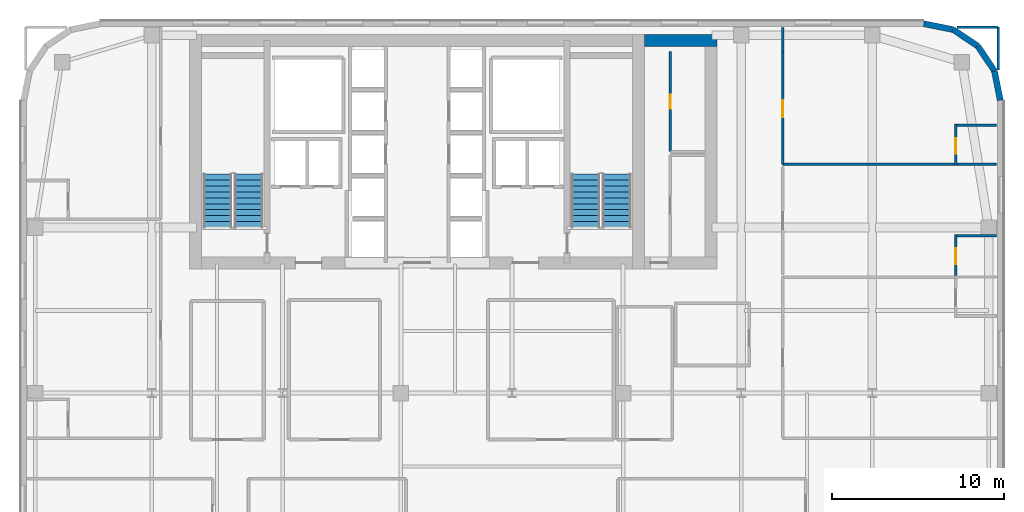
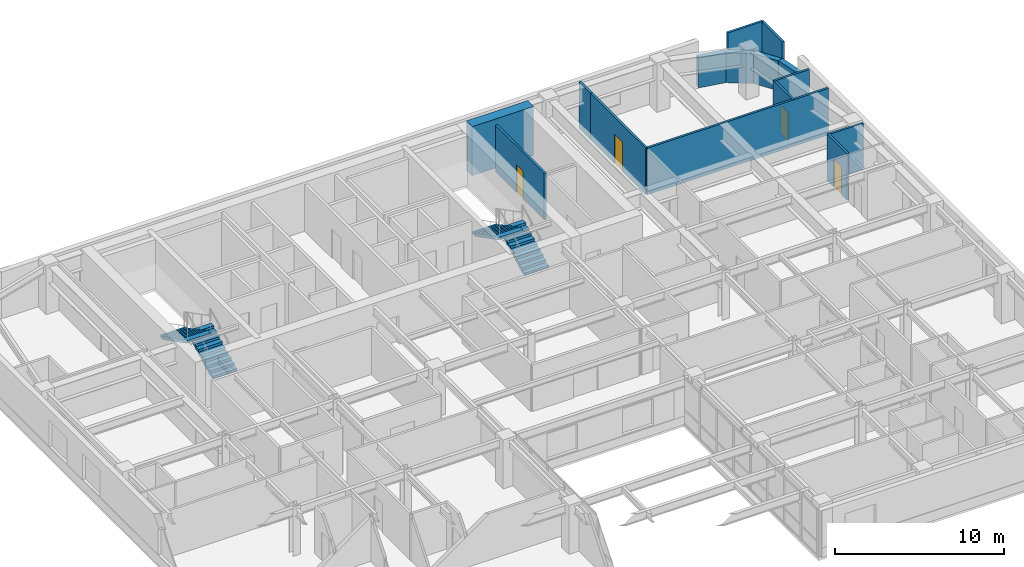
# One storey, part 19 of 24: 15 walls, 4 doors, 4 stair flights, 4 openings, 2 elements without a shape of their own.
"""IFC4 building model written with IfcOpenShell, lengths in metres."""

from ifc_helpers import new_model, si_unit, direction, frame, frame_2d, origin, place, context, subcontext, project, spatial, polyline, rectangle, outline, extrude, source, transform, mapped, material, layer, layer_set, type_object, type_shapes, element, fill, aggregate, save


model = new_model("IFC4")

# Units and contexts
model_context = context("Model", 3, precision=1e-05, world=origin(), true_north=direction((0.0, 1.0)))
body_context = subcontext(model_context, "Body", "Model", "MODEL_VIEW")
ifc_project = project(units=[si_unit("LENGTHUNIT", "METRE"), si_unit("AREAUNIT", "SQUARE_METRE"), si_unit("VOLUMEUNIT", "CUBIC_METRE"), si_unit("PLANEANGLEUNIT", "RADIAN"), si_unit("MASSUNIT", "GRAM", prefix="KILO")], contexts=[model_context])

# Site, building, storey
site_placement = place(None, origin())
site = spatial("IfcSite", under=ifc_project, at=site_placement, CompositionType="ELEMENT")
building_placement = place(site_placement, origin())
building = spatial("IfcBuilding", under=site, at=building_placement, Name="Tolvann Quenvar Hotel", CompositionType="ELEMENT")
storey_placement = place(building_placement, frame((0.0, 0.0, 118.64990234375)))
storey = spatial("IfcBuildingStorey", under=building, at=storey_placement, Name="L30", CompositionType="ELEMENT", Elevation=118.64990234375)

# Walls
ifc_material_1 = material(Name="Concrete S65 (65 MPa)", Category="concrete")
ifc_layer_1 = layer(ifc_material_1, 0.699951171875)
ifc_layer_set_1 = layer_set([ifc_layer_1], Name="Concrete S65 (65 MPa)")
wall_type_1 = type_object("IfcWallType", Name="WALL_CORE_700", PredefinedType="SHEAR", material=ifc_layer_set_1)
wall_1_placement = place(storey_placement, frame((36.199951171875, 44.85009765625, 0.0), z_axis=(0.0, 0.0, 1.0), x_axis=(1.0, 0.0, 0.0)))
element("IfcWall", 1, at=wall_1_placement, inside=storey, type_object=wall_type_1, Name="Core East Annex Shear Wall ANN-N (L30)", PredefinedType="SHEAR", context=body_context, shape_type="SweptSolid", body=[
    extrude(rectangle(XDim=4.199951171875, YDim=0.699951171875, at=frame_2d((2.10009765625, 0.0))), origin(), (0.0, 0.0, 1.0), 3.550048828125),
])
ifc_material_2 = material(Name="Kiln-fired red and buff architectural clay brickwork and terracotta masonry", Category="masonry")
ifc_layer_2 = layer(ifc_material_2, 0.35009765625)
ifc_layer_set_2 = layer_set([ifc_layer_2], Name="Kiln-fired red and buff architectural clay brickwork and terracotta masonry")
wall_type_2 = type_object("IfcWallType", Name="WALL_EXT_BRICK_350", PredefinedType="SOLIDWALL", material=ifc_layer_set_2)
wall_2_placement = place(storey_placement, frame((56.824951171875, 41.3828125, 0.0), z_axis=(0.0, 0.0, 1.0), x_axis=(-0.195011420161, 0.980800971659, 0.0)))
element("IfcWall", 2, at=wall_2_placement, inside=storey, type_object=wall_type_2, Name="Exterior Chicago Brick Wall L30-E14", PredefinedType="SOLIDWALL", context=body_context, shape_type="SweptSolid", body=[
    extrude(rectangle(XDim=1.74267578125, YDim=0.35009765625, at=frame_2d((0.871337890625, 0.0))), origin(), (0.0, 0.0, 1.0), 2.16015625),
])
for number, where, z_axis, x_axis, name in (
    (3, (56.485107421875, 43.092041015625, 0.0), (0.0, 0.0, 1.0), (-0.55554893791, 0.831483840845, 0.0), "Exterior Chicago Brick Wall L30-E15"),
    (4, (55.526611328125, 44.526611328125, 0.0), (0.0, 0.0, 1.0), (-0.831483840845, 0.55554893791, 0.0), "Exterior Chicago Brick Wall L30-E16"),
):
    element("IfcWall", number, at=place(storey_placement, frame(where, z_axis=z_axis, x_axis=x_axis)), inside=storey, type_object=wall_type_2, Name=name, PredefinedType="SOLIDWALL", context=body_context, shape_type="SweptSolid", body=[
        extrude(rectangle(XDim=1.725341796875, YDim=0.35009765625, at=frame_2d((0.86279296875, 0.0))), origin(), (0.0, 0.0, 1.0), 2.16015625),
    ])
wall_3_placement = place(storey_placement, frame((54.092041015625, 45.485107421875, 0.0), z_axis=(0.0, 0.0, 1.0), x_axis=(-0.980800971659, 0.195011420161, 0.0)))
element("IfcWall", 5, at=wall_3_placement, inside=storey, type_object=wall_type_2, Name="Exterior Chicago Brick Wall L30-E17", PredefinedType="SOLIDWALL", context=body_context, shape_type="SweptSolid", body=[
    extrude(rectangle(XDim=1.74267578125, YDim=0.35009765625, at=frame_2d((0.871337890625, 0.0))), origin(), (0.0, 0.0, 1.0), 2.16015625),
])

# Wall, opening, door
ifc_material_3 = material(Name="Acoustic twin-stud fire-rated gypsum plasterboard partition")
ifc_layer_3 = layer(ifc_material_3, 0.14990234375)
ifc_layer_set_3 = layer_set([ifc_layer_3], Name="Acoustic twin-stud fire-rated gypsum plasterboard partition")
wall_type_3 = type_object("IfcWallType", Name="WALL_PART_SUITE_150", PredefinedType="PARTITIONING", material=ifc_layer_set_3)
wall_4_placement = place(storey_placement, frame((54.25, 31.2099609375, 0.0), z_axis=(0.0, 0.0, 1.0), x_axis=(0.0, 1.0, 0.0)))
wall_4 = element("IfcWall", 6, at=wall_4_placement, inside=storey, type_object=wall_type_3, Name="Interior Partition PT-SPC-L30-ENS-NE02-ENT", PredefinedType="PARTITIONING", context=body_context, shape_type="SweptSolid", body=[
    extrude(rectangle(XDim=2.39013671875, YDim=0.14990234375, at=frame_2d((1.195068359375, 0.0))), origin(), (0.0, 0.0, 1.0), 3.3701171875),
])
opening_1_placement = place(wall_4_placement, frame((0.6650390625, 0.0, 0.0)))
opening_1 = element("IfcOpeningElement", 7, at=opening_1_placement, cuts=wall_4, Name="Opening WD-01", PredefinedType="OPENING", context=body_context, shape_type="SweptSolid", body=[
    extrude(rectangle(XDim=0.919921875, YDim=2.010009765625, at=frame_2d((0.4599609375, 1.0048828125))), frame((0.0, 0.0849609375, 0.0), z_axis=(0.0, -1.0, 0.0), x_axis=(1.0, 0.0, 0.0)), (0.0, 0.0, 1.0), 0.169921875),
])
ifc_material_4 = material(Name="Solid-core American oak acoustic fire door leaf in steel frame", Category="steel")
door_type_1 = type_object("IfcDoorType", Name="DOOR_WC_920", OperationType="NOTDEFINED", PredefinedType="DOOR", material=ifc_material_4)
shared_shape_1 = source(origin(), body_context, "Body", "SweptSolid", [
    extrude(rectangle(XDim=0.919921875, YDim=2.010009765625, at=frame_2d((0.4599609375, 1.0048828125))), frame((0.0, 0.02490234375, 0.0), z_axis=(0.0, -1.0, 0.0), x_axis=(1.0, 0.0, 0.0)), (0.0, 0.0, 1.0), 0.050048828125),
])
type_shapes(door_type_1, [shared_shape_1])
door_1_placement = place(opening_1_placement, origin())
door_1 = element("IfcDoor", 8, at=door_1_placement, inside=storey, type_object=door_type_1, Name="Interior Door DOOR-SPC-L30-ENS-NE02", OperationType="SINGLE_SWING_RIGHT", OverallHeight=2.010009765625, OverallWidth=0.919921875, PredefinedType="DOOR", context=body_context, shape_type="MappedRepresentation", body=[
    mapped(shared_shape_1, transform((0.0, 0.0, 0.0), x_axis=(1.0, 0.0, 0.0), y_axis=(0.0, 1.0, 0.0), z_axis=(0.0, 0.0, 1.0), scale=1.0)),
])
fill(opening_1, door_1)

# Wall
wall_5_placement = place(storey_placement, frame((54.179931640625, 33.530029296875, 0.0), z_axis=(0.0, 0.0, 1.0), x_axis=(1.0, 0.0, 0.0)))
element("IfcWall", 9, at=wall_5_placement, inside=storey, type_object=wall_type_3, Name="Interior Partition PT-SPC-L30-ENS-NE02-N", PredefinedType="PARTITIONING", context=body_context, shape_type="SweptSolid", body=[
    extrude(rectangle(XDim=2.4150390625, YDim=0.14990234375, at=frame_2d((1.20751953125, 0.0))), origin(), (0.0, 0.0, 1.0), 3.3701171875),
])

# Wall, opening, door
wall_6_placement = place(storey_placement, frame((54.25, 37.610107421875, 0.0), z_axis=(0.0, 0.0, 1.0), x_axis=(0.0, 1.0, 0.0)))
wall_6 = element("IfcWall", 10, at=wall_6_placement, inside=storey, type_object=wall_type_3, Name="Interior Partition PT-SPC-L30-ENS-NE03-ENT", PredefinedType="PARTITIONING", context=body_context, shape_type="SweptSolid", body=[
    extrude(rectangle(XDim=2.389892578125, YDim=0.14990234375, at=frame_2d((1.19482421875, 0.0))), origin(), (0.0, 0.0, 1.0), 3.3701171875),
])
opening_2_placement = place(wall_6_placement, frame((0.6650390625, 0.0, 0.0)))
opening_2 = element("IfcOpeningElement", 11, at=opening_2_placement, cuts=wall_6, Name="Opening WD-01", PredefinedType="OPENING", context=body_context, shape_type="SweptSolid", body=[
    extrude(rectangle(XDim=0.919921875, YDim=2.010009765625, at=frame_2d((0.4599609375, 1.0048828125))), frame((0.0, 0.0849609375, 0.0), z_axis=(0.0, -1.0, 0.0), x_axis=(1.0, 0.0, 0.0)), (0.0, 0.0, 1.0), 0.169921875),
])
door_2_placement = place(opening_2_placement, origin())
door_2 = element("IfcDoor", 12, at=door_2_placement, inside=storey, type_object=door_type_1, Name="Interior Door DOOR-SPC-L30-ENS-NE03", OperationType="SINGLE_SWING_LEFT", OverallHeight=2.010009765625, OverallWidth=0.919921875, PredefinedType="DOOR", context=body_context, shape_type="MappedRepresentation", body=[
    mapped(shared_shape_1, transform((0.0, 0.0, 0.0), x_axis=(1.0, 0.0, 0.0), y_axis=(0.0, 1.0, 0.0), z_axis=(0.0, 0.0, 1.0), scale=1.0)),
])
fill(opening_2, door_2)

# Walls
wall_7_placement = place(storey_placement, frame((44.199951171875, 37.679931640625, 0.0), z_axis=(0.0, 0.0, 1.0), x_axis=(1.0, 0.0, 0.0)))
element("IfcWall", 13, at=wall_7_placement, inside=storey, type_object=wall_type_3, Name="Interior Partition PT-SPC-L30-ENS-NE03-S", PredefinedType="PARTITIONING", context=body_context, shape_type="SweptSolid", body=[
    extrude(rectangle(XDim=12.39501953125, YDim=0.14990234375, at=frame_2d((6.197509765625, 0.0))), origin(), (0.0, 0.0, 1.0), 3.3701171875),
])
wall_8_placement = place(storey_placement, frame((54.179931640625, 39.929931640625, 0.0), z_axis=(0.0, 0.0, 1.0), x_axis=(1.0, 0.0, 0.0)))
element("IfcWall", 14, at=wall_8_placement, inside=storey, type_object=wall_type_3, Name="Interior Partition PT-SPC-L30-ENS-NE03-N", PredefinedType="PARTITIONING", context=body_context, shape_type="SweptSolid", body=[
    extrude(rectangle(XDim=2.4150390625, YDim=0.14990234375, at=frame_2d((1.20751953125, 0.0))), origin(), (0.0, 0.0, 1.0), 3.3701171875),
])

# Wall, opening, door
wall_9_placement = place(storey_placement, frame((37.679931640625, 38.39990234375, 0.0), z_axis=(0.0, 0.0, 1.0), x_axis=(0.0, 1.0, 0.0)))
wall_9 = element("IfcWall", 15, at=wall_9_placement, inside=storey, type_object=wall_type_3, Name="Interior Partition PT-SPC-L30-CSE-1-W", PredefinedType="PARTITIONING", context=body_context, shape_type="SweptSolid", body=[
    extrude(rectangle(XDim=5.800048828125, YDim=0.14990234375, at=frame_2d((2.89990234375, 0.0))), origin(), (0.0, 0.0, 1.0), 3.3701171875),
])
opening_3_placement = place(wall_9_placement, frame((2.489990234375, 0.0, 0.0)))
opening_3 = element("IfcOpeningElement", 16, at=opening_3_placement, cuts=wall_9, Name="Opening HD-02", PredefinedType="OPENING", context=body_context, shape_type="SweptSolid", body=[
    extrude(rectangle(XDim=0.820068359375, YDim=2.010009765625, at=frame_2d((0.41015625, 1.0048828125))), frame((0.0, 0.0849609375, 0.0), z_axis=(0.0, -1.0, 0.0), x_axis=(1.0, 0.0, 0.0)), (0.0, 0.0, 1.0), 0.169921875),
])
ifc_material_5 = material(Name="Pressed galvanised steel fire-rated door set", Category="steel")
door_type_2 = type_object("IfcDoorType", Name="DOOR_STORE_820", OperationType="NOTDEFINED", PredefinedType="DOOR", material=ifc_material_5)
shared_shape_2 = source(origin(), body_context, "Body", "SweptSolid", [
    extrude(rectangle(XDim=0.820068359375, YDim=2.010009765625, at=frame_2d((0.41015625, 1.0048828125))), frame((0.0, 0.02490234375, 0.0), z_axis=(0.0, -1.0, 0.0), x_axis=(1.0, 0.0, 0.0)), (0.0, 0.0, 1.0), 0.050048828125),
])
type_shapes(door_type_2, [shared_shape_2])
door_3_placement = place(opening_3_placement, origin())
door_3 = element("IfcDoor", 17, at=door_3_placement, inside=storey, type_object=door_type_2, Name="Interior Door DOOR-SPC-L30-CSE-1", OperationType="SINGLE_SWING_LEFT", OverallHeight=2.010009765625, OverallWidth=0.820068359375, PredefinedType="DOOR", context=body_context, shape_type="MappedRepresentation", body=[
    mapped(shared_shape_2, transform((0.0, 0.0, 0.0), x_axis=(1.0, 0.0, 0.0), y_axis=(0.0, 1.0, 0.0), z_axis=(0.0, 0.0, 1.0), scale=1.0)),
])
fill(opening_3, door_3)

wall_10_placement = place(storey_placement, frame((44.199951171875, 37.679931640625, 0.0), z_axis=(0.0, 0.0, 1.0), x_axis=(0.0, 1.0, 0.0)))
wall_10 = element("IfcWall", 18, at=wall_10_placement, inside=storey, type_object=wall_type_3, Name="Interior Partition PT-SPC-L30-RM-NE03-ENT", PredefinedType="PARTITIONING", context=body_context, shape_type="SweptSolid", body=[
    extrude(rectangle(XDim=6.530029296875, YDim=0.14990234375, at=frame_2d((3.26513671875, 0.0))), origin(), (0.0, 0.0, 1.0), 3.3701171875),
])
opening_4_placement = place(wall_10_placement, frame((2.719970703125, 0.0, 0.0)))
opening_4 = element("IfcOpeningElement", 19, at=opening_4_placement, cuts=wall_10, Name="Opening SD-01", PredefinedType="OPENING", context=body_context, shape_type="SweptSolid", body=[
    extrude(rectangle(XDim=0.97998046875, YDim=2.1201171875, at=frame_2d((0.489990234375, 1.06005859375))), frame((0.0, 0.0849609375, 0.0), z_axis=(0.0, -1.0, 0.0), x_axis=(1.0, 0.0, 0.0)), (0.0, 0.0, 1.0), 0.169921875),
])
door_type_3 = type_object("IfcDoorType", Name="DOOR_SUITE_980", OperationType="NOTDEFINED", PredefinedType="DOOR", material=ifc_material_4)
shared_shape_3 = source(origin(), body_context, "Body", "SweptSolid", [
    extrude(rectangle(XDim=0.97998046875, YDim=2.1201171875, at=frame_2d((0.489990234375, 1.06005859375))), frame((0.0, 0.02490234375, 0.0), z_axis=(0.0, -1.0, 0.0), x_axis=(1.0, 0.0, 0.0)), (0.0, 0.0, 1.0), 0.050048828125),
])
type_shapes(door_type_3, [shared_shape_3])
door_4_placement = place(opening_4_placement, origin())
door_4 = element("IfcDoor", 20, at=door_4_placement, inside=storey, type_object=door_type_3, Name="Interior Door DOOR-SPC-L30-RM-NE03", OperationType="SINGLE_SWING_LEFT", OverallHeight=2.1201171875, OverallWidth=0.97998046875, PredefinedType="DOOR", context=body_context, shape_type="MappedRepresentation", body=[
    mapped(shared_shape_3, transform((0.0, 0.0, 0.0), x_axis=(1.0, 0.0, 0.0), y_axis=(0.0, 1.0, 0.0), z_axis=(0.0, 0.0, 1.0), scale=1.0)),
])
fill(opening_4, door_4)

# Walls
wall_11_placement = place(storey_placement, frame((56.699951171875, 43.135009765625, 0.0), z_axis=(0.0, 0.0, 1.0), x_axis=(0.0, 1.0, 0.0)))
element("IfcWall", 21, at=wall_11_placement, inside=storey, type_object=wall_type_3, Name="Interior Partition PT-SPC-L30-RM-NE03-E4", PredefinedType="PARTITIONING", context=body_context, shape_type="SweptSolid", body=[
    extrude(rectangle(XDim=2.485107421875, YDim=0.14990234375, at=frame_2d((1.24267578125, 0.0))), origin(), (0.0, 0.0, 1.0), 3.3701171875),
])
wall_12_placement = place(storey_placement, frame((54.303955078125, 45.6201171875, 0.0), z_axis=(0.0, 0.0, 1.0), x_axis=(1.0, 0.0, 0.0)))
element("IfcWall", 22, at=wall_12_placement, inside=storey, type_object=wall_type_3, Name="Interior Partition PT-SPC-L30-RM-NE03-E5", PredefinedType="PARTITIONING", context=body_context, shape_type="SweptSolid", body=[
    extrude(rectangle(XDim=2.39599609375, YDim=0.14990234375, at=frame_2d((1.197998046875, 0.0))), origin(), (0.0, 0.0, 1.0), 3.3701171875),
])
wall_13_placement = place(storey_placement, frame((44.199951171875, 44.219970703125, 0.0), z_axis=(0.0, 0.0, 1.0), x_axis=(0.0, 1.0, 0.0)))
element("IfcWall", 23, at=wall_13_placement, inside=storey, type_object=wall_type_3, Name="Interior Partition PT-SPC-L30-RM-NE03-E6", PredefinedType="PARTITIONING", context=body_context, shape_type="SweptSolid", body=[
    extrude(rectangle(XDim=1.375, YDim=0.14990234375, at=frame_2d((0.6875, 0.0))), origin(), (0.0, 0.0, 1.0), 3.3701171875),
])

# Stair, stair flights
ifc_material_6 = material(Name="Concrete N40 (40 MPa)", Category="concrete")
stair_type = type_object("IfcStairType", Name="STAIR", PredefinedType="HALF_TURN_STAIR", material=ifc_material_6)
stair_1_placement = place(storey_placement, origin())
stair_1 = element("IfcStair", 24, at=stair_1_placement, inside=storey, type_object=stair_type, Name="L30 ST-C1", PredefinedType="HALF_TURN_STAIR")
stair_flight_type = type_object("IfcStairFlightType", Name="STAIR_FLIGHT", PredefinedType="STRAIGHT", material=ifc_material_6)
stair_flight_1_placement = place(storey_placement, frame((13.22509765625, 34.0, 0.0), z_axis=(0.0, 0.0, 1.0), x_axis=(0.0, 1.0, 0.0)))
stair_flight_1 = element("IfcStairFlight", 25, at=stair_flight_1_placement, type_object=stair_flight_type, Name="ST-C1 flight 1", NumberOfRisers=10, NumberOfTreads=9, PredefinedType="STRAIGHT", RiserHeight=0.1775, TreadLength=0.345, context=body_context, shape_type="SweptSolid", body=[
    extrude(outline(polyline([(0.0, 0.0), (0.0, 0.177490234375), (0.344970703125, 0.177490234375), (0.344970703125, 0.35498046875), (0.68994140625, 0.35498046875), (0.68994140625, 0.532470703125), (1.034912109375, 0.532470703125), (1.034912109375, 0.7099609375), (1.3798828125, 0.7099609375), (1.3798828125, 0.887451171875), (1.72509765625, 0.887451171875), (1.72509765625, 1.06494140625), (2.070068359375, 1.06494140625), (2.070068359375, 1.242431640625), (2.4150390625, 1.242431640625), (2.4150390625, 1.419921875), (2.760009765625, 1.419921875), (2.760009765625, 1.597412109375), (3.10498046875, 1.597412109375), (3.10498046875, 1.77490234375), (3.10498046875, 1.428955078125), (0.32763671875, 0.0), (0.0, 0.0)])), frame((0.0, 0.824951171875, 0.0), z_axis=(0.0, -1.0, 0.0), x_axis=(1.0, 0.0, 0.0)), (0.0, 0.0, 1.0), 1.64990234375),
])
stair_flight_2_placement = place(storey_placement, frame((11.425048828125, 37.10498046875, 1.775146484375), z_axis=(0.0, 0.0, 1.0), x_axis=(0.0, -1.0, 0.0)))
stair_flight_2 = element("IfcStairFlight", 26, at=stair_flight_2_placement, type_object=stair_flight_type, Name="ST-C1 flight 2", NumberOfRisers=10, NumberOfTreads=9, PredefinedType="STRAIGHT", RiserHeight=0.1775, TreadLength=0.345, context=body_context, shape_type="SweptSolid", body=[
    extrude(outline(polyline([(0.0, 0.0), (0.0, 0.177490234375), (0.344970703125, 0.177490234375), (0.344970703125, 0.35498046875), (0.68994140625, 0.35498046875), (0.68994140625, 0.532470703125), (1.034912109375, 0.532470703125), (1.034912109375, 0.7099609375), (1.3798828125, 0.7099609375), (1.3798828125, 0.887451171875), (1.72509765625, 0.887451171875), (1.72509765625, 1.06494140625), (2.070068359375, 1.06494140625), (2.070068359375, 1.242431640625), (2.4150390625, 1.242431640625), (2.4150390625, 1.419921875), (2.760009765625, 1.419921875), (2.760009765625, 1.597412109375), (3.10498046875, 1.597412109375), (3.10498046875, 1.77490234375), (3.10498046875, 1.428955078125), (0.32763671875, 0.0), (0.0, 0.0)])), frame((0.0, 0.824951171875, 0.0), z_axis=(0.0, -1.0, 0.0), x_axis=(1.0, 0.0, 0.0)), (0.0, 0.0, 1.0), 1.64990234375),
])
aggregate(stair_1, [stair_flight_1, stair_flight_2])

stair_2_placement = place(storey_placement, origin())
stair_2 = element("IfcStair", 27, at=stair_2_placement, inside=storey, type_object=stair_type, Name="L30 ST-C2", PredefinedType="HALF_TURN_STAIR")
stair_flight_3_placement = place(storey_placement, frame((34.574951171875, 34.0, 0.0), z_axis=(0.0, 0.0, 1.0), x_axis=(0.0, 1.0, 0.0)))
stair_flight_3 = element("IfcStairFlight", 28, at=stair_flight_3_placement, type_object=stair_flight_type, Name="ST-C2 flight 1", NumberOfRisers=10, NumberOfTreads=9, PredefinedType="STRAIGHT", RiserHeight=0.1775, TreadLength=0.345, context=body_context, shape_type="SweptSolid", body=[
    extrude(outline(polyline([(0.0, 0.0), (0.0, 0.177490234375), (0.344970703125, 0.177490234375), (0.344970703125, 0.35498046875), (0.68994140625, 0.35498046875), (0.68994140625, 0.532470703125), (1.034912109375, 0.532470703125), (1.034912109375, 0.7099609375), (1.3798828125, 0.7099609375), (1.3798828125, 0.887451171875), (1.72509765625, 0.887451171875), (1.72509765625, 1.06494140625), (2.070068359375, 1.06494140625), (2.070068359375, 1.242431640625), (2.4150390625, 1.242431640625), (2.4150390625, 1.419921875), (2.760009765625, 1.419921875), (2.760009765625, 1.597412109375), (3.10498046875, 1.597412109375), (3.10498046875, 1.77490234375), (3.10498046875, 1.428955078125), (0.32763671875, 0.0), (0.0, 0.0)])), frame((0.0, 0.824951171875, 0.0), z_axis=(0.0, -1.0, 0.0), x_axis=(1.0, 0.0, 0.0)), (0.0, 0.0, 1.0), 1.64990234375),
])
stair_flight_4_placement = place(storey_placement, frame((32.77490234375, 37.10498046875, 1.775146484375), z_axis=(0.0, 0.0, 1.0), x_axis=(0.0, -1.0, 0.0)))
stair_flight_4 = element("IfcStairFlight", 29, at=stair_flight_4_placement, type_object=stair_flight_type, Name="ST-C2 flight 2", NumberOfRisers=10, NumberOfTreads=9, PredefinedType="STRAIGHT", RiserHeight=0.1775, TreadLength=0.345, context=body_context, shape_type="SweptSolid", body=[
    extrude(outline(polyline([(0.0, 0.0), (0.0, 0.177490234375), (0.344970703125, 0.177490234375), (0.344970703125, 0.35498046875), (0.68994140625, 0.35498046875), (0.68994140625, 0.532470703125), (1.034912109375, 0.532470703125), (1.034912109375, 0.7099609375), (1.3798828125, 0.7099609375), (1.3798828125, 0.887451171875), (1.72509765625, 0.887451171875), (1.72509765625, 1.06494140625), (2.070068359375, 1.06494140625), (2.070068359375, 1.242431640625), (2.4150390625, 1.242431640625), (2.4150390625, 1.419921875), (2.760009765625, 1.419921875), (2.760009765625, 1.597412109375), (3.10498046875, 1.597412109375), (3.10498046875, 1.77490234375), (3.10498046875, 1.428955078125), (0.32763671875, 0.0), (0.0, 0.0)])), frame((0.0, 0.824951171875, 0.0), z_axis=(0.0, -1.0, 0.0), x_axis=(1.0, 0.0, 0.0)), (0.0, 0.0, 1.0), 1.64990234375),
])
aggregate(stair_2, [stair_flight_3, stair_flight_4])

save(model, "model.ifc")
